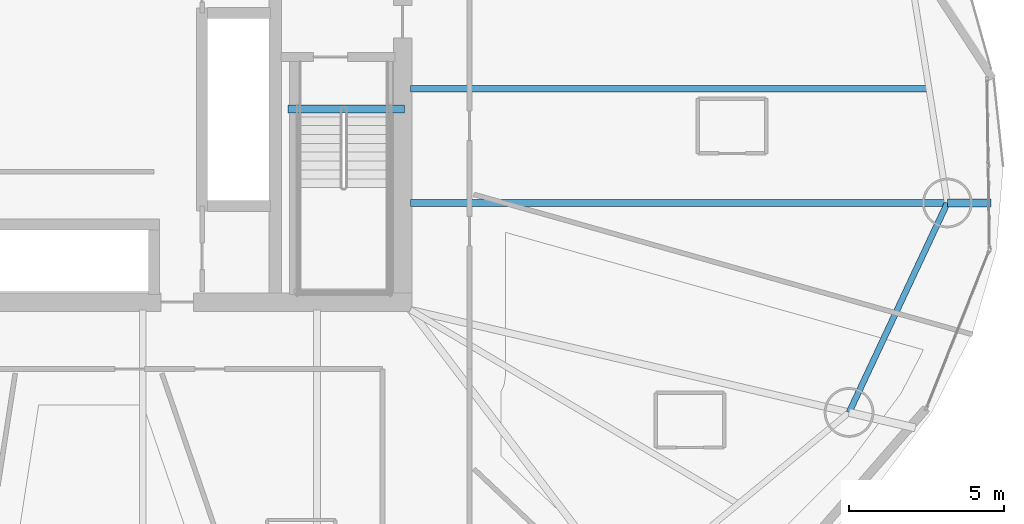
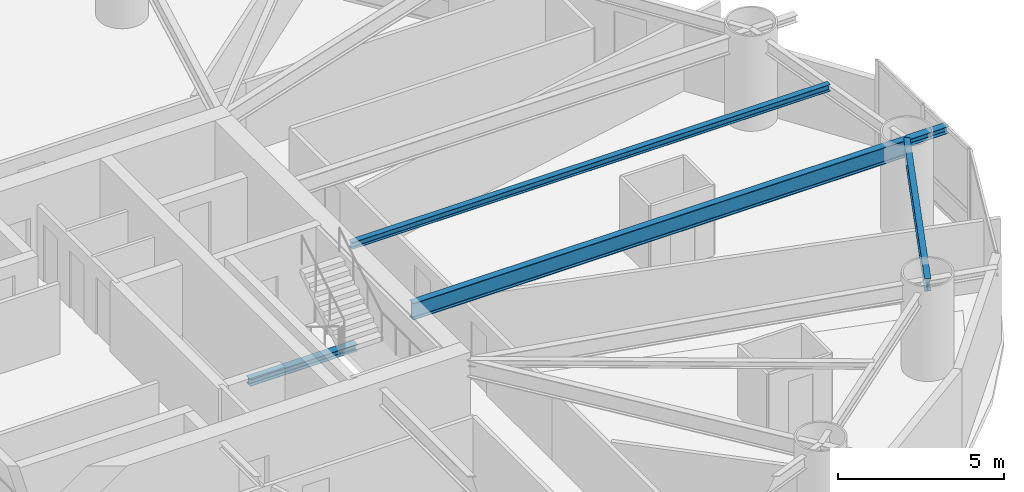
# One storey, part 9 of 26: 5 beams.
"""IFC4 building model written with IfcOpenShell, lengths in metres."""

from ifc_helpers import new_model, si_unit, direction, frame, origin, origin_2d, place, context, subcontext, project, spatial, i_section, extrude, material, material_profile, profile_set, type_object, element, save


model = new_model("IFC4")

# Units and contexts
model_context = context("Model", 3, precision=1e-05, world=origin(), true_north=direction((0.0, 1.0)))
body_context = subcontext(model_context, "Body", "Model", "MODEL_VIEW")
ifc_project = project(units=[si_unit("LENGTHUNIT", "METRE"), si_unit("AREAUNIT", "SQUARE_METRE"), si_unit("VOLUMEUNIT", "CUBIC_METRE"), si_unit("PLANEANGLEUNIT", "RADIAN"), si_unit("MASSUNIT", "GRAM", prefix="KILO")], contexts=[model_context])

# Site, building, storey
site_placement = place(None, origin())
site = spatial("IfcSite", under=ifc_project, at=site_placement, CompositionType="ELEMENT")
building_placement = place(site_placement, origin())
building = spatial("IfcBuilding", under=site, at=building_placement, Name="Bramvorn Convention Spire", CompositionType="ELEMENT")
storey_placement = place(building_placement, frame((0.0, 0.0, 76.39990234375)))
storey = spatial("IfcBuildingStorey", under=building, at=storey_placement, Name="L17", CompositionType="ELEMENT", Elevation=76.39990234375)

# Beams
ifc_material = material(Name="Steel CSA G40.21 Grade 350 (350W)", Category="steel")
ifc_material_profile_1 = material_profile(ifc_material, i_section(OverallWidth=0.201904296875, OverallDepth=0.2470703125, WebThickness=0.00732421875, FlangeThickness=0.010986328125, FilletRadius=0.011962890625, at=origin_2d()))
ifc_profile_set_1 = profile_set([ifc_material_profile_1], Name="Steel CSA G40.21 Grade 350 (350W) - W250X49")
beam_type_1 = type_object("IfcBeamType", Name="BM-W250X49", PredefinedType="JOIST", material=ifc_profile_set_1)
beam_1_placement = place(storey_placement, frame((49.25, 25.666015625, 3.126708984375), z_axis=(1.0, 0.0, 0.0), x_axis=(0.0, 1.0, 0.0)))
element("IfcBeam", 1, at=beam_1_placement, inside=storey, type_object=beam_type_1, Name="L17 composite floor joist 01", PredefinedType="JOIST", context=body_context, shape_type="SweptSolid", body=[
    extrude(i_section(OverallWidth=0.201904296875, OverallDepth=0.2470703125, WebThickness=0.00732421875, FlangeThickness=0.010986328125, FilletRadius=0.011962890625, at=origin_2d()), origin(), (0.0, 0.0, 1.0), 16.67919921875),
])
ifc_material_profile_2 = material_profile(ifc_material, i_section(OverallWidth=0.25390625, OverallDepth=0.2529296875, WebThickness=0.008544921875, FlangeThickness=0.01416015625, FilletRadius=0.011962890625, at=origin_2d()))
ifc_profile_set_2 = profile_set([ifc_material_profile_2], Name="Steel CSA G40.21 Grade 350 (350W) - W250X73")
beam_type_2 = type_object("IfcBeamType", Name="BM-W250X73", PredefinedType="BEAM", material=ifc_profile_set_2)
beam_2_placement = place(storey_placement, frame((66.519775390625, 21.99169921875, 3.12353515625), z_axis=(1.0, 0.0, 0.0), x_axis=(0.0, 1.0, 0.0)))
element("IfcBeam", 2, at=beam_2_placement, inside=storey, type_object=beam_type_2, Name="L17 slab-edge cantilever tip beam MC01", PredefinedType="BEAM", context=body_context, shape_type="SweptSolid", body=[
    extrude(i_section(OverallWidth=0.25390625, OverallDepth=0.2529296875, WebThickness=0.008544921875, FlangeThickness=0.01416015625, FilletRadius=0.011962890625, at=origin_2d()), origin(), (0.0, 0.0, 1.0), 1.3994140625),
])
beam_3_placement = place(storey_placement, frame((45.31005859375, 25.010009765625, -0.12646484375), z_axis=(1.0, 0.0, 0.0), x_axis=(0.0, 1.0, 0.0)))
element("IfcBeam", 3, at=beam_3_placement, inside=storey, type_object=beam_type_2, Name="L17 ST2 stair arrival header beam", PredefinedType="BEAM", context=body_context, shape_type="SweptSolid", body=[
    extrude(i_section(OverallWidth=0.25390625, OverallDepth=0.2529296875, WebThickness=0.008544921875, FlangeThickness=0.01416015625, FilletRadius=0.011962890625, at=origin_2d()), origin(), (0.0, 0.0, 1.0), 3.739990234375),
])
ifc_material_profile_3 = material_profile(ifc_material, i_section(OverallWidth=0.194091796875, OverallDepth=0.468994140625, WebThickness=0.0126953125, FlangeThickness=0.0205078125, FilletRadius=0.01806640625, at=origin_2d()))
ifc_profile_set_3 = profile_set([ifc_material_profile_3], Name="Steel CSA G40.21 Grade 350 (350W) - W460X106")
beam_type_3 = type_object("IfcBeamType", Name="BM-W460X106", PredefinedType="SPANDREL", material=ifc_profile_set_3)
beam_4_placement = place(storey_placement, frame((63.35888671875, 15.253662109375, 3.015625), z_axis=(0.424701955478, 0.9053332254, 0.0), x_axis=(-0.9053332254, 0.424701955478, 0.0)))
element("IfcBeam", 4, at=beam_4_placement, inside=storey, type_object=beam_type_3, Name="L17 mega-column ring beam 16", PredefinedType="SPANDREL", context=body_context, shape_type="SweptSolid", body=[
    extrude(i_section(OverallWidth=0.194091796875, OverallDepth=0.468994140625, WebThickness=0.0126953125, FlangeThickness=0.0205078125, FilletRadius=0.01806640625, at=origin_2d()), origin(), (0.0, 0.0, 1.0), 7.442626953125),
])
ifc_material_profile_4 = material_profile(ifc_material, i_section(OverallWidth=0.22998046875, OverallDepth=0.616943359375, WebThickness=0.01318359375, FlangeThickness=0.022216796875, FilletRadius=0.02001953125, at=origin_2d()))
ifc_profile_set_4 = profile_set([ifc_material_profile_4], Name="Steel CSA G40.21 Grade 350 (350W) - W610X140")
beam_type_4 = type_object("IfcBeamType", Name="BM-W610X140", PredefinedType="BEAM", material=ifc_profile_set_4)
beam_5_placement = place(storey_placement, frame((49.25, 21.99169921875, 2.941650390625), z_axis=(1.0, 0.0, 0.0), x_axis=(0.0, 1.0, 0.0)))
element("IfcBeam", 5, at=beam_5_placement, inside=storey, type_object=beam_type_4, Name="L17 radial floor girder MC01", PredefinedType="BEAM", context=body_context, shape_type="SweptSolid", body=[
    extrude(i_section(OverallWidth=0.22998046875, OverallDepth=0.616943359375, WebThickness=0.01318359375, FlangeThickness=0.022216796875, FilletRadius=0.02001953125, at=origin_2d()), origin(), (0.0, 0.0, 1.0), 17.269775390625),
])

save(model, "model.ifc")
